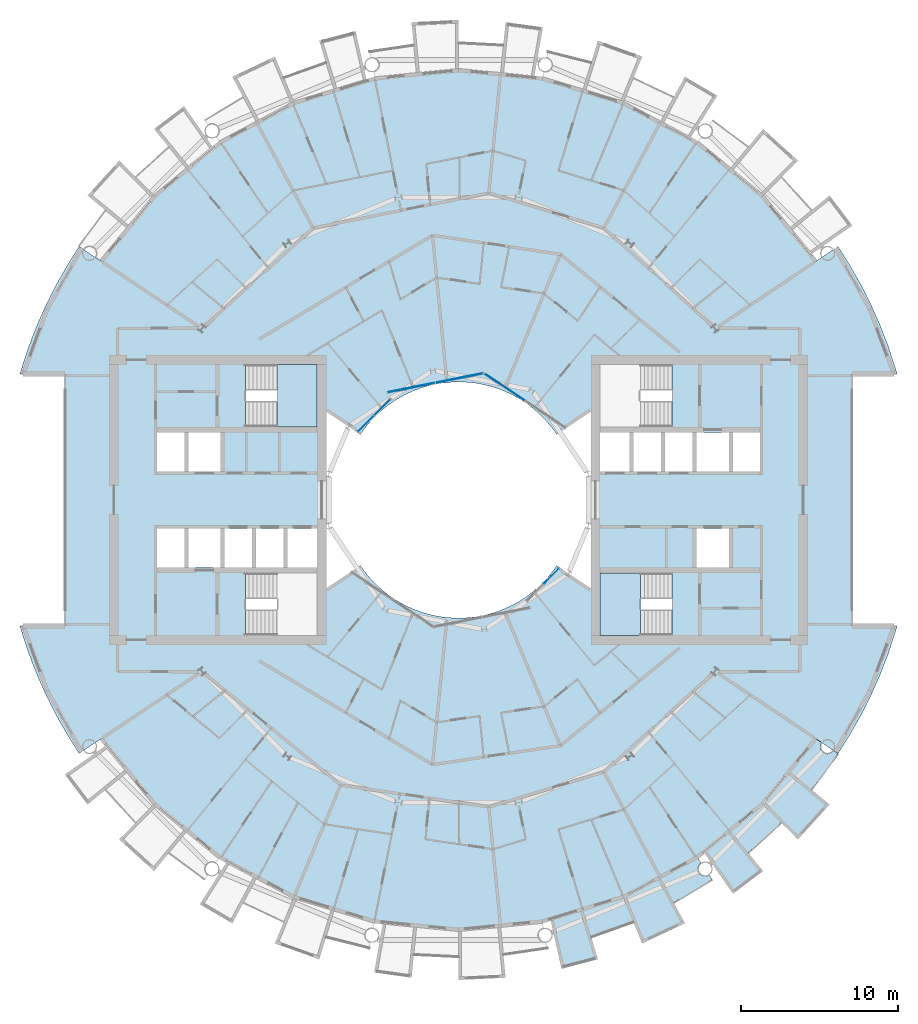
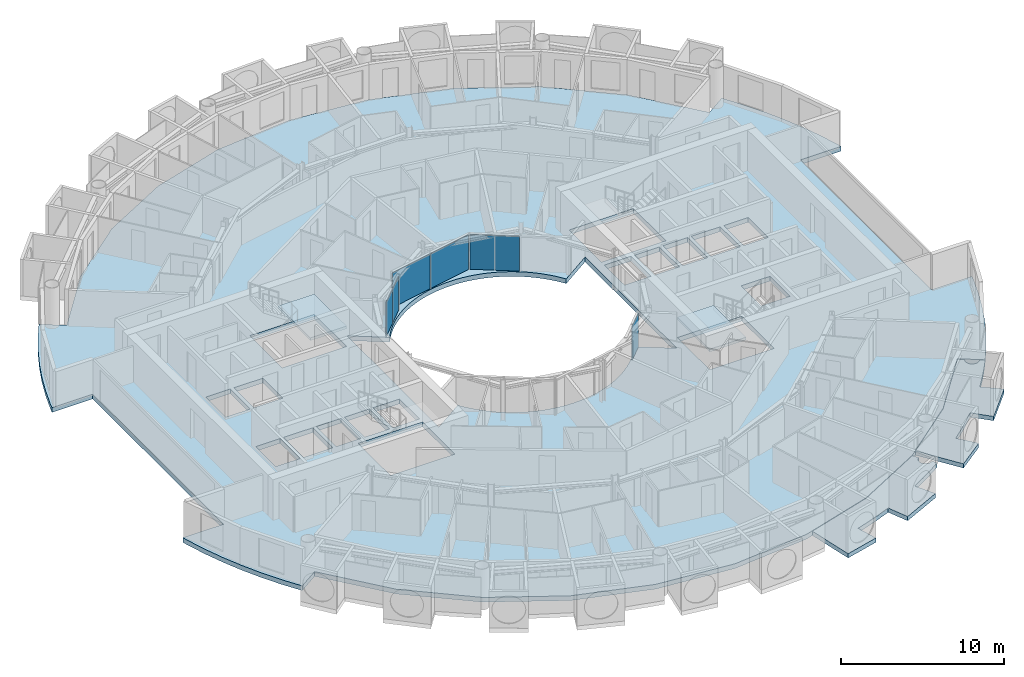
# One storey, part 11 of 28: 6 plates, 5 slabs, 6 elements without a shape of their own.
"""IFC4 building model written with IfcOpenShell, lengths in metres."""

from ifc_helpers import new_model, si_unit, direction, frame, origin, origin_2d, place, context, subcontext, project, spatial, polyline, rectangle, outline, extrude, material, layer, layer_set, type_object, element, aggregate, save


model = new_model("IFC4")

# Units and contexts
model_context = context("Model", 3, precision=1e-05, world=origin(), true_north=direction((0.0, 1.0)))
body_context = subcontext(model_context, "Body", "Model", "MODEL_VIEW")
ifc_project = project(units=[si_unit("LENGTHUNIT", "METRE"), si_unit("AREAUNIT", "SQUARE_METRE"), si_unit("VOLUMEUNIT", "CUBIC_METRE"), si_unit("PLANEANGLEUNIT", "RADIAN"), si_unit("MASSUNIT", "GRAM", prefix="KILO")], contexts=[model_context])

# Site, building, storey
site_placement = place(None, origin())
site = spatial("IfcSite", under=ifc_project, at=site_placement, CompositionType="ELEMENT")
building_placement = place(site_placement, origin())
building = spatial("IfcBuilding", under=site, at=building_placement, Name="Maasbend Ring Residences", CompositionType="ELEMENT")
storey_placement = place(building_placement, frame((0.0, 0.0, 129.949951171875)))
storey = spatial("IfcBuildingStorey", under=building, at=storey_placement, Name="L37", CompositionType="ELEMENT", Elevation=129.949951171875)

# Stair, slab
ifc_material_1 = material(Name="Concrete C40/50", Category="concrete")
stair_type = type_object("IfcStairType", Name="CORE STAIR 18 RISERS", PredefinedType="HALF_TURN_STAIR", material=ifc_material_1)
stair_1_placement = place(storey_placement, origin())
stair_1 = element("IfcStair", 1, at=stair_1_placement, inside=storey, type_object=stair_type, Name="L37 Exit stair ST-E2", PredefinedType="HALF_TURN_STAIR")
ifc_material_2 = material(Name="Concrete C40/50", Category="concrete")
ifc_layer_1 = layer(ifc_material_2, 0.199951171875)
ifc_layer_set_1 = layer_set([ifc_layer_1], Name="Concrete C40/50")
slab_type_1 = type_object("IfcSlabType", Name="CORE STAIR LANDING 200", PredefinedType="LANDING", material=ifc_layer_set_1)
slab_1_placement = place(storey_placement, frame((0.0, 0.0, 1.324951171875)))
slab_1 = element("IfcSlab", 2, at=slab_1_placement, type_object=slab_type_1, Name="ST-E2 landing 1", PredefinedType="LANDING", context=body_context, shape_type="SweptSolid", body=[
    extrude(outline(polyline([(11.550048828125, -4.64990234375), (9.0, -4.64990234375), (9.0, -8.60009765625), (11.550048828125, -8.60009765625), (11.550048828125, -4.64990234375)])), origin(), (0.0, 0.0, 1.0), 0.2001953125),
])
aggregate(stair_1, [slab_1])

stair_2_placement = place(storey_placement, origin())
stair_2 = element("IfcStair", 3, at=stair_2_placement, inside=storey, type_object=stair_type, Name="L37 Exit stair ST-W2", PredefinedType="HALF_TURN_STAIR")
slab_2_placement = place(storey_placement, frame((0.0, 0.0, 1.324951171875)))
slab_2 = element("IfcSlab", 4, at=slab_2_placement, type_object=slab_type_1, Name="ST-W2 landing 1", PredefinedType="LANDING", context=body_context, shape_type="SweptSolid", body=[
    extrude(outline(polyline([(-11.550048828125, 4.64990234375), (-9.0, 4.64990234375), (-9.0, 8.60009765625), (-11.550048828125, 8.60009765625), (-11.550048828125, 4.64990234375)])), origin(), (0.0, 0.0, 1.0), 0.2001953125),
])
aggregate(stair_2, [slab_2])

# Curtain wall, plate
ifc_material_3 = material(Name="Aluminium and clear glass", Category="aluminium")
ifc_layer_2 = layer(ifc_material_3, 0.179931640625)
ifc_layer_set_2 = layer_set([ifc_layer_2], Name="CW-W")
curtain_wall_type = type_object("IfcCurtainWallType", Name="CW-W", PredefinedType="NOTDEFINED", material=ifc_layer_set_2)
curtain_wall_1_placement = place(storey_placement, origin())
curtain_wall_1 = element("IfcCurtainWall", 5, at=curtain_wall_1_placement, inside=storey, type_object=curtain_wall_type, Name="Well curtain wall N1", PredefinedType="NOTDEFINED")
ifc_material_4 = material(Name="Glass clear laminated", Category="glass")
ifc_layer_3 = layer(ifc_material_4, 0.031982421875)
ifc_layer_set_3 = layer_set([ifc_layer_3], Name="CWP-W")
plate_type = type_object("IfcPlateType", Name="CWP-W", PredefinedType="CURTAIN_PANEL", material=ifc_layer_set_3)
plate_1_placement = place(storey_placement, frame((2.922119140625, 7.17578125, 0.0), z_axis=(0.0, 0.0, 1.0), x_axis=(-0.831469612303, 0.55557023302, 0.0)))
plate_1 = element("IfcPlate", 6, at=plate_1_placement, type_object=plate_type, Name="Glass panel well face", PredefinedType="CURTAIN_PANEL", context=body_context, shape_type="SweptSolid", body=[
    extrude(rectangle(XDim=3.053955078125, YDim=0.031982421875, at=origin_2d()), origin(), (0.0, 0.0, 1.0), 2.580078125),
])
aggregate(curtain_wall_1, [plate_1])

# Curtain wall, plates
curtain_wall_2_placement = place(storey_placement, origin())
curtain_wall_2 = element("IfcCurtainWall", 7, at=curtain_wall_2_placement, inside=storey, type_object=curtain_wall_type, Name="Well curtain wall N2", PredefinedType="NOTDEFINED")
plate_2_placement = place(storey_placement, frame((0.04638671875, 7.747802734375, 0.0), z_axis=(0.0, 0.0, 1.0), x_axis=(-0.980785280403, -0.195090322016, 0.0)))
plate_2 = element("IfcPlate", 8, at=plate_2_placement, type_object=plate_type, Name="Glass panel well face", PredefinedType="CURTAIN_PANEL", context=body_context, shape_type="SweptSolid", body=[
    extrude(rectangle(XDim=3.053955078125, YDim=0.031982421875, at=origin_2d()), origin(), (0.0, 0.0, 1.0), 2.580078125),
])
plate_3_placement = place(storey_placement, frame((-3.0078125, 7.140380859375, 0.0), z_axis=(0.0, 0.0, 1.0), x_axis=(-0.980785280403, -0.195090322016, 0.0)))
plate_3 = element("IfcPlate", 9, at=plate_3_placement, type_object=plate_type, Name="Glass panel well face", PredefinedType="CURTAIN_PANEL", context=body_context, shape_type="SweptSolid", body=[
    extrude(rectangle(XDim=3.053955078125, YDim=0.031982421875, at=origin_2d()), origin(), (0.0, 0.0, 1.0), 2.580078125),
])
aggregate(curtain_wall_2, [plate_2, plate_3])

curtain_wall_3_placement = place(storey_placement, origin())
curtain_wall_3 = element("IfcCurtainWall", 10, at=curtain_wall_3_placement, inside=storey, type_object=curtain_wall_type, Name="Well curtain wall N3", PredefinedType="NOTDEFINED")
plate_4_placement = place(storey_placement, frame((-4.84375, 5.89013671875, 0.0), z_axis=(0.0, 0.0, 1.0), x_axis=(-0.707106781187, -0.707106781187, 0.0)))
plate_4 = element("IfcPlate", 11, at=plate_4_placement, type_object=plate_type, Name="Glass panel well face", PredefinedType="CURTAIN_PANEL", context=body_context, shape_type="SweptSolid", body=[
    extrude(rectangle(XDim=1.419677734375, YDim=0.031982421875, at=origin_2d()), origin(), (0.0, 0.0, 1.0), 2.580078125),
])
plate_5_placement = place(storey_placement, frame((-5.89013671875, 4.84375, 0.0), z_axis=(0.0, 0.0, 1.0), x_axis=(-0.707106781187, -0.707106781187, 0.0)))
plate_5 = element("IfcPlate", 12, at=plate_5_placement, type_object=plate_type, Name="Glass panel well face", PredefinedType="CURTAIN_PANEL", context=body_context, shape_type="SweptSolid", body=[
    extrude(rectangle(XDim=1.419677734375, YDim=0.031982421875, at=origin_2d()), origin(), (0.0, 0.0, 1.0), 2.580078125),
])
aggregate(curtain_wall_3, [plate_4, plate_5])

# Curtain wall, plate
curtain_wall_4_placement = place(storey_placement, origin())
curtain_wall_4 = element("IfcCurtainWall", 13, at=curtain_wall_4_placement, inside=storey, type_object=curtain_wall_type, Name="Well curtain wall S3", PredefinedType="NOTDEFINED")
plate_6_placement = place(storey_placement, frame((5.89013671875, -4.84375, 0.0), z_axis=(0.0, 0.0, 1.0), x_axis=(0.707106781187, 0.707106781187, 0.0)))
plate_6 = element("IfcPlate", 14, at=plate_6_placement, type_object=plate_type, Name="Glass panel well face", PredefinedType="CURTAIN_PANEL", context=body_context, shape_type="SweptSolid", body=[
    extrude(rectangle(XDim=1.419677734375, YDim=0.031982421875, at=origin_2d()), origin(), (0.0, 0.0, 1.0), 2.580078125),
])
aggregate(curtain_wall_4, [plate_6])

# Slabs
ifc_material_5 = material(Name="Concrete C40/50", Category="concrete")
ifc_layer_4 = layer(ifc_material_5, 0.35009765625)
ifc_layer_set_4 = layer_set([ifc_layer_4], Name="Concrete C40/50")
slab_type_2 = type_object("IfcSlabType", Name="Post-tensioned flat plate 350", PredefinedType="FLOOR", material=ifc_layer_set_4)
slab_3_placement = place(storey_placement, frame((0.0, 0.0, -0.349853515625)))
element("IfcSlab", 15, at=slab_3_placement, inside=storey, type_object=slab_type_2, Name="Floor slab L37", PredefinedType="FLOOR", context=body_context, shape_type="SweptSolid", body=[
    extrude(outline(polyline([(24.8740234375, -14.908935546875), (25.57568359375, -13.67041015625), (26.2158203125, -12.399169921875), (26.79248046875, -11.097900390625), (27.3046875, -9.769775390625), (27.751220703125, -8.418212890625), (27.866943359375, -8.0), (25.0, -8.0), (25.0, 8.0), (27.866943359375, 8.0), (27.751220703125, 8.418212890625), (27.3046875, 9.769775390625), (26.79248046875, 11.097900390625), (26.2158203125, 12.399169921875), (25.57568359375, 13.67041015625), (24.8740234375, 14.908935546875), (24.112548828125, 16.111572265625), (22.69921875, 15.1669921875), (19.303955078125, 19.303955078125), (15.1669921875, 22.69921875), (10.447265625, 25.221923828125), (5.325927734375, 26.775390625), (0.0, 27.300048828125), (-5.325927734375, 26.775390625), (-10.447265625, 25.221923828125), (-15.1669921875, 22.69921875), (-19.303955078125, 19.303955078125), (-22.69921875, 15.1669921875), (-24.112548828125, 16.111572265625), (-24.8740234375, 14.908935546875), (-25.57568359375, 13.67041015625), (-26.2158203125, 12.399169921875), (-26.79248046875, 11.097900390625), (-27.3046875, 9.769775390625), (-27.751220703125, 8.418212890625), (-27.866943359375, 8.0), (-25.0, 8.0), (-25.0, -8.0), (-27.866943359375, -8.0), (-27.751220703125, -8.418212890625), (-27.3046875, -9.769775390625), (-26.79248046875, -11.097900390625), (-26.2158203125, -12.399169921875), (-25.57568359375, -13.67041015625), (-24.8740234375, -14.908935546875), (-24.112548828125, -16.111572265625), (-22.69921875, -15.1669921875), (-19.303955078125, -19.303955078125), (-15.1669921875, -22.69921875), (-10.447265625, -25.221923828125), (-5.325927734375, -26.775390625), (0.0, -27.300048828125), (5.325927734375, -26.775390625), (10.447265625, -25.221923828125), (15.1669921875, -22.69921875), (19.303955078125, -19.303955078125), (22.69921875, -15.1669921875), (24.112548828125, -16.111572265625), (24.8740234375, -14.908935546875)]), holes=[polyline([(17.425048828125, 4.27490234375), (19.14990234375, 4.27490234375), (19.14990234375, 1.824951171875), (17.425048828125, 1.824951171875), (17.425048828125, 4.27490234375)]), polyline([(15.125, 1.824951171875), (15.125, 4.27490234375), (17.175048828125, 4.27490234375), (17.175048828125, 1.824951171875), (15.125, 1.824951171875)]), polyline([(15.125, -4.27490234375), (15.125, -1.824951171875), (17.175048828125, -1.824951171875), (17.175048828125, -4.27490234375), (15.125, -4.27490234375)]), polyline([(13.125, 1.824951171875), (13.125, 4.27490234375), (14.875, 4.27490234375), (14.875, 1.824951171875), (13.125, 1.824951171875)]), polyline([(13.550048828125, 4.64990234375), (9.0, 4.64990234375), (9.0, 8.60009765625), (13.550048828125, 8.60009765625), (13.550048828125, 4.64990234375)]), polyline([(13.550048828125, -4.64990234375), (13.550048828125, -8.60009765625), (9.0, -8.60009765625), (9.0, -4.64990234375), (13.550048828125, -4.64990234375)]), polyline([(11.125, 1.824951171875), (11.125, 4.27490234375), (12.875, 4.27490234375), (12.875, 1.824951171875), (11.125, 1.824951171875)]), polyline([(9.0, 1.824951171875), (9.0, 4.27490234375), (10.875, 4.27490234375), (10.875, 1.824951171875), (9.0, 1.824951171875)]), polyline([(6.024169921875, 4.4677734375), (6.236083984375, 4.166748046875), (8.39990234375, 5.61279296875), (8.39990234375, -5.61279296875), (6.236083984375, -4.166748046875), (6.024169921875, -4.4677734375), (5.797607421875, -4.7578125), (5.55712890625, -5.03662109375), (5.30322265625, -5.30322265625), (5.03662109375, -5.55712890625), (4.7578125, -5.797607421875), (4.4677734375, -6.024169921875), (4.166748046875, -6.236083984375), (3.855712890625, -6.43310546875), (3.535400390625, -6.614501953125), (3.206787109375, -6.77978515625), (2.8701171875, -6.92919921875), (2.526611328125, -7.0615234375), (2.177001953125, -7.177001953125), (1.822509765625, -7.275146484375), (1.463134765625, -7.35595703125), (1.1005859375, -7.418701171875), (0.735107421875, -7.4638671875), (0.367919921875, -7.490966796875), (0.0, -7.5), (-0.367919921875, -7.490966796875), (-0.735107421875, -7.4638671875), (-1.1005859375, -7.418701171875), (-1.463134765625, -7.35595703125), (-1.822509765625, -7.275146484375), (-2.177001953125, -7.177001953125), (-2.526611328125, -7.0615234375), (-2.8701171875, -6.92919921875), (-3.206787109375, -6.77978515625), (-3.535400390625, -6.614501953125), (-3.855712890625, -6.43310546875), (-4.166748046875, -6.236083984375), (-4.4677734375, -6.024169921875), (-4.7578125, -5.797607421875), (-5.03662109375, -5.55712890625), (-5.30322265625, -5.30322265625), (-5.55712890625, -5.03662109375), (-5.797607421875, -4.7578125), (-6.024169921875, -4.4677734375), (-6.236083984375, -4.166748046875), (-8.39990234375, -5.61279296875), (-8.39990234375, 5.61279296875), (-6.236083984375, 4.166748046875), (-6.236083984375, 4.166748046875), (-6.024169921875, 4.4677734375), (-5.797607421875, 4.7578125), (-5.55712890625, 5.03662109375), (-5.30322265625, 5.30322265625), (-5.03662109375, 5.55712890625), (-4.7578125, 5.797607421875), (-4.4677734375, 6.024169921875), (-4.166748046875, 6.236083984375), (-3.855712890625, 6.43310546875), (-3.535400390625, 6.614501953125), (-3.206787109375, 6.77978515625), (-2.8701171875, 6.92919921875), (-2.526611328125, 7.0615234375), (-2.177001953125, 7.177001953125), (-1.822509765625, 7.275146484375), (-1.463134765625, 7.35595703125), (-1.1005859375, 7.418701171875), (-0.735107421875, 7.4638671875), (-0.367919921875, 7.490966796875), (0.0, 7.5), (0.367919921875, 7.490966796875), (0.735107421875, 7.4638671875), (1.1005859375, 7.418701171875), (1.463134765625, 7.35595703125), (1.822509765625, 7.275146484375), (2.177001953125, 7.177001953125), (2.526611328125, 7.0615234375), (2.8701171875, 6.92919921875), (3.206787109375, 6.77978515625), (3.535400390625, 6.614501953125), (3.855712890625, 6.43310546875), (4.166748046875, 6.236083984375), (4.4677734375, 6.024169921875), (4.7578125, 5.797607421875), (5.03662109375, 5.55712890625), (5.30322265625, 5.30322265625), (5.55712890625, 5.03662109375), (5.797607421875, 4.7578125), (6.024169921875, 4.4677734375)]), polyline([(-13.550048828125, 4.64990234375), (-13.550048828125, 8.60009765625), (-9.0, 8.60009765625), (-9.0, 4.64990234375), (-13.550048828125, 4.64990234375)]), polyline([(-13.550048828125, -8.60009765625), (-13.550048828125, -4.64990234375), (-9.0, -4.64990234375), (-9.0, -8.60009765625), (-13.550048828125, -8.60009765625)]), polyline([(-9.0, -1.824951171875), (-9.0, -4.27490234375), (-10.875, -4.27490234375), (-10.875, -1.824951171875), (-9.0, -1.824951171875)]), polyline([(-11.125, -1.824951171875), (-11.125, -4.27490234375), (-12.875, -4.27490234375), (-12.875, -1.824951171875), (-11.125, -1.824951171875)]), polyline([(-13.125, -1.824951171875), (-13.125, -4.27490234375), (-14.875, -4.27490234375), (-14.875, -1.824951171875), (-13.125, -1.824951171875)]), polyline([(-15.125, 4.27490234375), (-15.125, 1.824951171875), (-17.175048828125, 1.824951171875), (-17.175048828125, 4.27490234375), (-15.125, 4.27490234375)]), polyline([(-15.125, -1.824951171875), (-15.125, -4.27490234375), (-17.175048828125, -4.27490234375), (-17.175048828125, -1.824951171875), (-15.125, -1.824951171875)]), polyline([(-17.425048828125, -1.824951171875), (-17.425048828125, -4.27490234375), (-19.14990234375, -4.27490234375), (-19.14990234375, -1.824951171875), (-17.425048828125, -1.824951171875)]), polyline([(-17.425048828125, 4.27490234375), (-17.425048828125, 1.824951171875), (-19.14990234375, 1.824951171875), (-19.14990234375, 4.27490234375), (-17.425048828125, 4.27490234375)])]), origin(), (0.0, 0.0, 1.0), 0.349853515625),
])
ifc_material_6 = material(Name="Concrete C40/50", Category="concrete")
ifc_layer_5 = layer(ifc_material_6, 0.199951171875)
ifc_layer_set_5 = layer_set([ifc_layer_5], Name="Concrete C40/50")
slab_type_3 = type_object("IfcSlabType", Name="SL-LOGGIA", PredefinedType="FLOOR", material=ifc_layer_set_5)
slab_4_placement = place(storey_placement, frame((0.0, 0.0, -0.349853515625)))
element("IfcSlab", 16, at=slab_4_placement, inside=storey, type_object=slab_type_3, Name="Loggia floor 1", PredefinedType="FLOOR", context=body_context, shape_type="SweptSolid", body=[
    extrude(outline(polyline([(10.447021484375, -25.221923828125), (12.806884765625, -23.9609375), (15.1669921875, -22.698974609375), (15.1669921875, -22.698974609375), (15.1669921875, -22.698974609375), (15.4130859375, -23.06689453125), (15.404052734375, -23.073974609375), (15.39501953125, -23.080078125), (15.385986328125, -23.0869140625), (15.376953125, -23.093994140625), (15.368896484375, -23.10107421875), (15.360107421875, -23.10888671875), (15.35205078125, -23.115966796875), (15.343994140625, -23.1240234375), (15.3359375, -23.132080078125), (15.327880859375, -23.139892578125), (15.321044921875, -23.14892578125), (15.31396484375, -23.156982421875), (15.306884765625, -23.166015625), (15.300048828125, -23.175048828125), (15.29296875, -23.18408203125), (15.287109375, -23.194091796875), (15.281005859375, -23.202880859375), (15.27490234375, -23.2119140625), (15.26904296875, -23.221923828125), (15.263916015625, -23.23193359375), (15.259033203125, -23.241943359375), (15.25390625, -23.251953125), (15.2490234375, -23.261962890625), (15.2451171875, -23.27294921875), (15.240966796875, -23.282958984375), (15.237060546875, -23.29296875), (15.23291015625, -23.303955078125), (15.22998046875, -23.31494140625), (15.22705078125, -23.325927734375), (15.22412109375, -23.3359375), (15.220947265625, -23.346923828125), (15.218994140625, -23.35791015625), (15.217041015625, -23.368896484375), (15.215087890625, -23.3798828125), (15.214111328125, -23.39111328125), (15.2119140625, -23.403076171875), (15.2109375, -23.4140625), (15.2109375, -23.425048828125), (15.2099609375, -23.43603515625), (15.2099609375, -23.447021484375), (15.2099609375, -23.458984375), (15.2109375, -23.469970703125), (15.2109375, -23.48095703125), (15.2119140625, -23.491943359375), (15.214111328125, -23.5029296875), (15.215087890625, -23.513916015625), (15.217041015625, -23.52587890625), (15.218994140625, -23.537109375), (15.220947265625, -23.548095703125), (15.22412109375, -23.55810546875), (15.22705078125, -23.569091796875), (15.22998046875, -23.580078125), (15.23291015625, -23.591064453125), (15.237060546875, -23.60107421875), (15.240966796875, -23.612060546875), (15.2451171875, -23.6220703125), (15.2490234375, -23.633056640625), (15.25390625, -23.64306640625), (15.259033203125, -23.653076171875), (15.263916015625, -23.6630859375), (15.26904296875, -23.673095703125), (15.27490234375, -23.681884765625), (15.281005859375, -23.69189453125), (15.287109375, -23.700927734375), (15.29296875, -23.7109375), (15.300048828125, -23.719970703125), (15.306884765625, -23.72900390625), (15.31396484375, -23.737060546875), (15.321044921875, -23.74609375), (15.327880859375, -23.75390625), (15.3359375, -23.762939453125), (15.343994140625, -23.77099609375), (15.35205078125, -23.778076171875), (15.360107421875, -23.785888671875), (15.368896484375, -23.79296875), (15.376953125, -23.801025390625), (15.385986328125, -23.80810546875), (15.39501953125, -23.81396484375), (15.404052734375, -23.821044921875), (15.4130859375, -23.826904296875), (15.423095703125, -23.8330078125), (15.431884765625, -23.839111328125), (15.44189453125, -23.844970703125), (15.451904296875, -23.85009765625), (15.4619140625, -23.85595703125), (15.471923828125, -23.861083984375), (15.48193359375, -23.864990234375), (15.491943359375, -23.8701171875), (15.5029296875, -23.8740234375), (15.512939453125, -23.8779296875), (15.52392578125, -23.881103515625), (15.533935546875, -23.885009765625), (15.544921875, -23.887939453125), (15.555908203125, -23.89111328125), (15.56689453125, -23.89306640625), (15.577880859375, -23.89599609375), (15.589111328125, -23.89794921875), (15.60009765625, -23.89892578125), (15.611083984375, -23.90087890625), (15.6220703125, -23.902099609375), (15.633056640625, -23.903076171875), (15.64501953125, -23.904052734375), (15.656005859375, -23.904052734375), (15.6669921875, -23.904052734375), (15.677978515625, -23.904052734375), (15.68994140625, -23.904052734375), (15.700927734375, -23.903076171875), (15.7119140625, -23.902099609375), (15.722900390625, -23.90087890625), (15.73388671875, -23.89892578125), (15.7451171875, -23.89794921875), (15.756103515625, -23.89599609375), (15.76708984375, -23.89306640625), (15.778076171875, -23.89111328125), (15.7890625, -23.887939453125), (15.800048828125, -23.885009765625), (15.81005859375, -23.881103515625), (15.821044921875, -23.8779296875), (15.83203125, -23.8740234375), (15.842041015625, -23.8701171875), (15.85205078125, -23.864990234375), (15.862060546875, -23.861083984375), (15.873046875, -23.85595703125), (15.883056640625, -23.85009765625), (15.89208984375, -23.844970703125), (15.902099609375, -23.839111328125), (15.912109375, -23.8330078125), (15.9208984375, -23.826904296875), (16.112060546875, -24.113037109375), (16.112060546875, -24.113037109375), (16.112060546875, -24.113037109375), (15.31396484375, -24.626953125), (15.31396484375, -24.626953125), (14.5, -25.114990234375), (14.5, -25.114990234375), (13.6708984375, -25.574951171875), (13.6708984375, -25.575927734375), (13.6708984375, -25.575927734375), (13.6708984375, -25.575927734375), (13.6708984375, -25.575927734375), (13.6708984375, -25.575927734375), (13.6708984375, -25.575927734375), (13.6708984375, -25.575927734375), (13.6708984375, -25.575927734375), (13.6708984375, -25.575927734375), (13.6708984375, -25.575927734375), (13.6708984375, -25.575927734375), (13.6708984375, -25.575927734375), (13.6708984375, -25.575927734375), (13.6708984375, -25.575927734375), (13.6708984375, -25.575927734375), (13.6708984375, -25.575927734375), (14.3779296875, -26.89892578125), (14.3779296875, -26.89892578125), (14.3779296875, -26.89892578125), (11.672119140625, -28.177978515625), (11.672119140625, -28.177978515625), (11.672119140625, -28.177978515625), (11.097900390625, -26.79296875), (11.097900390625, -26.79296875), (11.097900390625, -26.79296875), (11.097900390625, -26.79296875), (11.097900390625, -26.79296875), (11.097900390625, -26.79296875), (11.097900390625, -26.79296875), (11.097900390625, -26.79296875), (11.097900390625, -26.79296875), (11.097900390625, -26.79296875), (11.097900390625, -26.79296875), (11.097900390625, -26.79296875), (11.097900390625, -26.79296875), (11.097900390625, -26.79296875), (11.096923828125, -26.79296875), (11.096923828125, -26.79296875), (11.096923828125, -26.79296875), (10.215087890625, -27.14111328125), (10.215087890625, -27.14111328125), (9.322021484375, -27.4609375), (9.322021484375, -27.4609375), (8.4189453125, -27.7509765625), (8.4189453125, -27.7509765625), (8.4189453125, -27.7509765625), (8.4189453125, -27.7509765625), (8.4189453125, -27.7509765625), (8.4189453125, -27.7509765625), (8.41796875, -27.7509765625), (8.41796875, -27.7509765625), (8.41796875, -27.7509765625), (8.41796875, -27.7509765625), (8.41796875, -27.7509765625), (8.41796875, -27.751953125), (8.41796875, -27.751953125), (8.41796875, -27.751953125), (8.41796875, -27.751953125), (8.41796875, -27.751953125), (8.41796875, -27.751953125), (8.85400390625, -29.18701171875), (8.85400390625, -29.18701171875), (8.85400390625, -29.18701171875), (6.5400390625, -29.791015625), (6.5400390625, -29.791015625), (6.5400390625, -29.791015625), (5.843994140625, -26.617919921875), (5.843994140625, -26.617919921875), (5.843994140625, -26.617919921875), (7.886962890625, -25.9990234375), (10.447021484375, -25.221923828125), (10.447021484375, -25.221923828125), (10.447021484375, -25.221923828125)])), origin(), (0.0, 0.0, 1.0), 0.31982421875),
])
slab_5_placement = place(storey_placement, frame((0.0, 0.0, -0.349853515625)))
element("IfcSlab", 17, at=slab_5_placement, inside=storey, type_object=slab_type_3, Name="Loggia floor 4", PredefinedType="FLOOR", context=body_context, shape_type="SweptSolid", body=[
    extrude(outline(polyline([(19.303955078125, -19.303955078125), (21.001953125, -17.236083984375), (22.698974609375, -15.1669921875), (22.698974609375, -15.1669921875), (22.698974609375, -15.1669921875), (23.06689453125, -15.4130859375), (23.06689453125, -15.4130859375), (23.06103515625, -15.423095703125), (23.054931640625, -15.431884765625), (23.050048828125, -15.44189453125), (23.0439453125, -15.451904296875), (23.0390625, -15.4619140625), (23.033935546875, -15.471923828125), (23.030029296875, -15.48193359375), (23.02490234375, -15.491943359375), (23.02099609375, -15.5029296875), (23.01708984375, -15.512939453125), (23.012939453125, -15.52392578125), (23.010009765625, -15.533935546875), (23.007080078125, -15.544921875), (23.00390625, -15.555908203125), (23.001953125, -15.56689453125), (22.9990234375, -15.577880859375), (22.9970703125, -15.589111328125), (22.9951171875, -15.60009765625), (22.993896484375, -15.611083984375), (22.992919921875, -15.6220703125), (22.991943359375, -15.633056640625), (22.990966796875, -15.64501953125), (22.990966796875, -15.656005859375), (22.989990234375, -15.6669921875), (22.990966796875, -15.677978515625), (22.990966796875, -15.68994140625), (22.991943359375, -15.700927734375), (22.992919921875, -15.7119140625), (22.993896484375, -15.722900390625), (22.9951171875, -15.73388671875), (22.9970703125, -15.7451171875), (22.9990234375, -15.756103515625), (23.001953125, -15.76708984375), (23.00390625, -15.778076171875), (23.007080078125, -15.7890625), (23.010009765625, -15.800048828125), (23.012939453125, -15.81005859375), (23.01708984375, -15.821044921875), (23.02099609375, -15.83203125), (23.02490234375, -15.842041015625), (23.030029296875, -15.85205078125), (23.033935546875, -15.862060546875), (23.0390625, -15.873046875), (23.0439453125, -15.883056640625), (23.050048828125, -15.89208984375), (23.054931640625, -15.902099609375), (23.06103515625, -15.912109375), (23.06689453125, -15.9208984375), (23.073974609375, -15.929931640625), (23.080078125, -15.93896484375), (23.0869140625, -15.947998046875), (23.093994140625, -15.95703125), (23.10107421875, -15.966064453125), (23.10888671875, -15.97412109375), (23.115966796875, -15.98193359375), (23.1240234375, -15.989990234375), (23.132080078125, -15.998046875), (23.139892578125, -16.006103515625), (23.14892578125, -16.012939453125), (23.156982421875, -16.02001953125), (23.166015625, -16.027099609375), (23.175048828125, -16.033935546875), (23.18408203125, -16.041015625), (23.194091796875, -16.047119140625), (23.202880859375, -16.052978515625), (23.2119140625, -16.05908203125), (23.221923828125, -16.06494140625), (23.23193359375, -16.070068359375), (23.241943359375, -16.074951171875), (23.251953125, -16.080078125), (23.261962890625, -16.0849609375), (23.27294921875, -16.089111328125), (23.282958984375, -16.093017578125), (23.29296875, -16.096923828125), (23.303955078125, -16.10107421875), (23.31494140625, -16.10400390625), (23.325927734375, -16.10791015625), (23.3359375, -16.110107421875), (23.346923828125, -16.113037109375), (23.35791015625, -16.114990234375), (23.368896484375, -16.116943359375), (23.3798828125, -16.118896484375), (23.39111328125, -16.12109375), (23.403076171875, -16.1220703125), (23.4140625, -16.123046875), (23.425048828125, -16.1240234375), (23.43603515625, -16.1240234375), (23.447021484375, -16.1240234375), (23.458984375, -16.1240234375), (23.469970703125, -16.1240234375), (23.48095703125, -16.123046875), (23.491943359375, -16.1220703125), (23.5029296875, -16.12109375), (23.513916015625, -16.118896484375), (23.52587890625, -16.116943359375), (23.537109375, -16.114990234375), (23.548095703125, -16.113037109375), (23.55810546875, -16.110107421875), (23.569091796875, -16.10791015625), (23.580078125, -16.10400390625), (23.591064453125, -16.10107421875), (23.60107421875, -16.096923828125), (23.612060546875, -16.093017578125), (23.6220703125, -16.089111328125), (23.633056640625, -16.0849609375), (23.64306640625, -16.080078125), (23.653076171875, -16.074951171875), (23.6630859375, -16.070068359375), (23.673095703125, -16.06494140625), (23.681884765625, -16.05908203125), (23.69189453125, -16.052978515625), (23.700927734375, -16.047119140625), (23.7109375, -16.041015625), (23.719970703125, -16.033935546875), (23.72900390625, -16.027099609375), (23.737060546875, -16.02001953125), (23.74609375, -16.012939453125), (23.75390625, -16.006103515625), (23.762939453125, -15.998046875), (23.77099609375, -15.989990234375), (23.778076171875, -15.98193359375), (23.785888671875, -15.97412109375), (23.79296875, -15.966064453125), (23.801025390625, -15.95703125), (23.80810546875, -15.947998046875), (23.81396484375, -15.93896484375), (23.821044921875, -15.929931640625), (23.826904296875, -15.9208984375), (23.826904296875, -15.9208984375), (24.113037109375, -16.112060546875), (24.113037109375, -16.112060546875), (24.113037109375, -16.112060546875), (23.572998046875, -16.89208984375), (23.572998046875, -16.89208984375), (23.007080078125, -17.654052734375), (23.007080078125, -17.654052734375), (22.41796875, -18.39697265625), (22.41796875, -18.39697265625), (22.41796875, -18.39697265625), (22.41796875, -18.39697265625), (22.41796875, -18.39697265625), (22.41796875, -18.39697265625), (22.41796875, -18.39697265625), (22.41796875, -18.39697265625), (22.41796875, -18.39697265625), (22.41796875, -18.39697265625), (22.41796875, -18.39697265625), (22.41796875, -18.39794921875), (22.41796875, -18.39794921875), (22.41796875, -18.39794921875), (22.41796875, -18.39794921875), (22.41796875, -18.39794921875), (22.41796875, -18.39794921875), (23.576904296875, -19.34912109375), (23.576904296875, -19.34912109375), (23.576904296875, -19.34912109375), (21.56689453125, -21.56689453125), (21.56689453125, -21.56689453125), (21.56689453125, -21.56689453125), (20.506103515625, -20.506103515625), (20.506103515625, -20.506103515625), (20.506103515625, -20.506103515625), (20.506103515625, -20.506103515625), (20.506103515625, -20.506103515625), (20.506103515625, -20.506103515625), (20.506103515625, -20.506103515625), (20.506103515625, -20.506103515625), (20.506103515625, -20.506103515625), (20.506103515625, -20.506103515625), (20.506103515625, -20.506103515625), (20.506103515625, -20.506103515625), (20.506103515625, -20.506103515625), (20.506103515625, -20.506103515625), (20.506103515625, -20.506103515625), (20.506103515625, -20.506103515625), (20.506103515625, -20.506103515625), (19.823974609375, -21.166015625), (19.823974609375, -21.166015625), (19.12109375, -21.802978515625), (19.12109375, -21.802978515625), (18.39794921875, -22.4169921875), (18.39794921875, -22.4169921875), (18.39794921875, -22.4169921875), (18.39794921875, -22.4169921875), (18.39794921875, -22.4169921875), (18.39794921875, -22.4169921875), (18.39794921875, -22.4169921875), (18.39794921875, -22.4169921875), (18.39794921875, -22.4169921875), (18.39794921875, -22.4169921875), (18.39794921875, -22.4169921875), (18.39794921875, -22.4169921875), (18.39794921875, -22.41796875), (18.39794921875, -22.41796875), (18.39794921875, -22.41796875), (18.39794921875, -22.41796875), (18.39794921875, -22.41796875), (19.34912109375, -23.576904296875), (19.34912109375, -23.576904296875), (19.34912109375, -23.576904296875), (17.44189453125, -25.02001953125), (17.44189453125, -25.02001953125), (17.44189453125, -25.02001953125), (15.5849609375, -22.35595703125), (15.5849609375, -22.35595703125), (15.5849609375, -22.35595703125), (17.236083984375, -21.001953125), (19.303955078125, -19.303955078125), (19.303955078125, -19.303955078125), (19.303955078125, -19.303955078125)])), origin(), (0.0, 0.0, 1.0), 0.31982421875),
])

save(model, "model.ifc")
